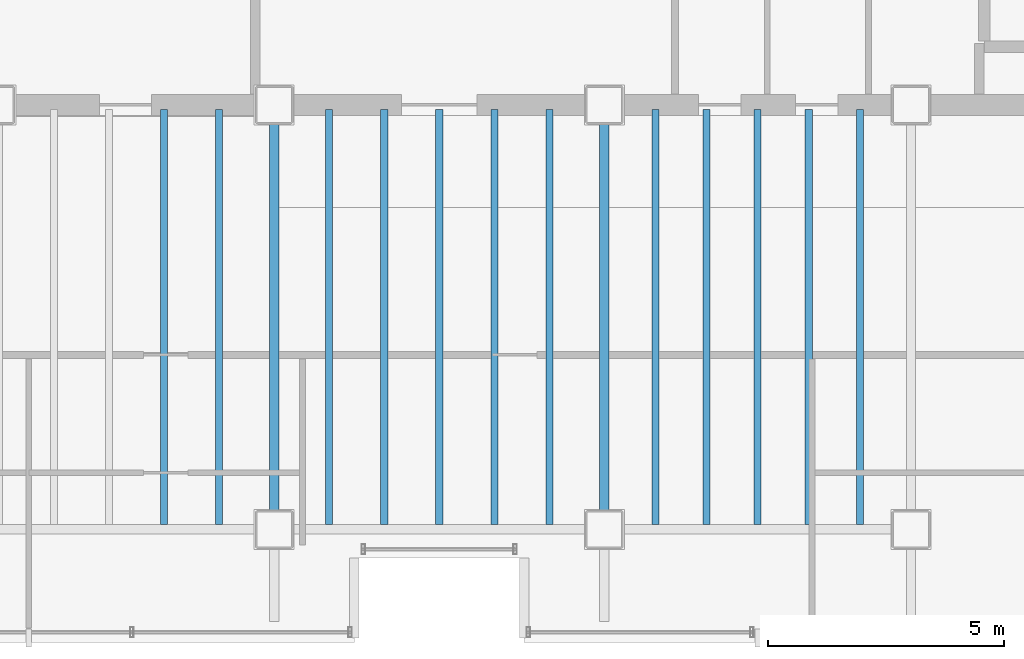
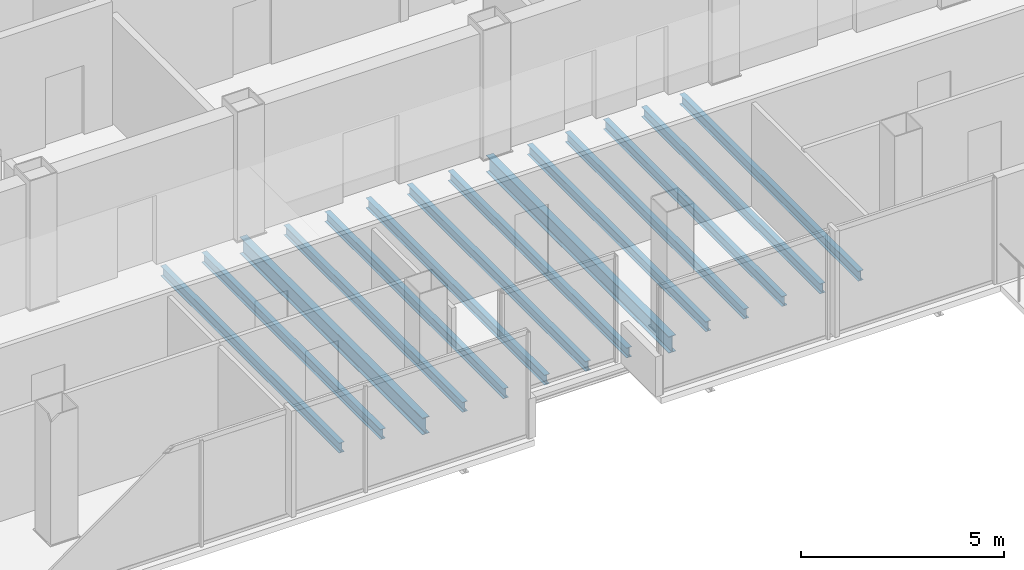
# One storey, part 7 of 17: 14 beams.
"""IFC4 building model written with IfcOpenShell, lengths in metres."""

from ifc_helpers import new_model, si_unit, direction, frame, origin, origin_2d, place, context, subcontext, project, spatial, i_section, extrude, material, material_profile, profile_set, type_object, element, save


model = new_model("IFC4")

# Units and contexts
model_context = context("Model", 3, precision=1e-05, world=origin(), true_north=direction((0.0, 1.0)))
body_context = subcontext(model_context, "Body", "Model", "MODEL_VIEW")
ifc_project = project(units=[si_unit("LENGTHUNIT", "METRE"), si_unit("AREAUNIT", "SQUARE_METRE"), si_unit("VOLUMEUNIT", "CUBIC_METRE"), si_unit("PLANEANGLEUNIT", "RADIAN"), si_unit("MASSUNIT", "GRAM", prefix="KILO")], contexts=[model_context])

# Site, building, storey
site_placement = place(None, origin())
site = spatial("IfcSite", under=ifc_project, at=site_placement, CompositionType="ELEMENT")
building_placement = place(site_placement, origin())
building = spatial("IfcBuilding", under=site, at=building_placement, Name="Noeulbin Bourse Tower", CompositionType="ELEMENT")
storey_placement = place(building_placement, frame((0.0, 0.0, 261.800048828125)))
storey = spatial("IfcBuildingStorey", under=building, at=storey_placement, Name="L65", CompositionType="ELEMENT", Elevation=261.800048828125)

# Beams
ifc_material = material(Name="Steel S355", Category="steel")
ifc_material_profile_1 = material_profile(ifc_material, i_section(OverallWidth=0.199951171875, OverallDepth=0.5, WebThickness=0.010009765625, FlangeThickness=0.01611328125, FilletRadius=0.02001953125, at=origin_2d()), Name="H-500x200x10x16", Category="LoadBearing")
ifc_profile_set_1 = profile_set([ifc_material_profile_1], Name="Steel S355")
beam_type_1 = type_object("IfcBeamType", Name="BM-GRD-500", PredefinedType="USERDEFINED", material=ifc_profile_set_1)
for number, where, z_axis, x_axis, name in (
    (1, (24.0, 20.0, -0.429931640625), (0.0, 1.0, 0.0), (-1.0, 0.0, 0.0), "Tower Primary Girder NS L65-2.2"),
    (2, (31.0, 20.0, -0.429931640625), (0.0, 1.0, 0.0), (-1.0, 0.0, 0.0), "Tower Primary Girder NS L65-3.2"),
):
    element("IfcBeam", number, at=place(storey_placement, frame(where, z_axis=z_axis, x_axis=x_axis)), inside=storey, type_object=beam_type_1, Name=name, ObjectType="GIRDER", PredefinedType="USERDEFINED", context=body_context, shape_type="SweptSolid", body=[
        extrude(i_section(OverallWidth=0.199951171875, OverallDepth=0.5, WebThickness=0.010009765625, FlangeThickness=0.01611328125, FilletRadius=0.02001953125, at=origin_2d()), origin(), (0.0, 0.0, 1.0), 9.0),
    ])
ifc_material_profile_2 = material_profile(ifc_material, i_section(OverallWidth=0.14990234375, OverallDepth=0.300048828125, WebThickness=0.006591796875, FlangeThickness=0.009033203125, FilletRadius=0.012939453125, at=origin_2d()), Name="H-300x150x6.5x9", Category="LoadBearing")
ifc_profile_set_2 = profile_set([ifc_material_profile_2], Name="Steel S355")
beam_type_2 = type_object("IfcBeamType", Name="BM-JST-300", PredefinedType="JOIST", material=ifc_profile_set_2)
for number, where, z_axis, x_axis, name in (
    (3, (21.666748046875, 20.10009765625, -0.330078125), (0.0, 1.0, 0.0), (-1.0, 0.0, 0.0), "Tower Composite Joist L65-13"),
    (4, (22.833251953125, 20.10009765625, -0.330078125), (0.0, 1.0, 0.0), (-1.0, 0.0, 0.0), "Tower Composite Joist L65-15"),
    (5, (25.166748046875, 20.10009765625, -0.330078125), (0.0, 1.0, 0.0), (-1.0, 0.0, 0.0), "Tower Composite Joist L65-17"),
    (6, (26.333251953125, 20.10009765625, -0.330078125), (0.0, 1.0, 0.0), (-1.0, 0.0, 0.0), "Tower Composite Joist L65-19"),
    (7, (27.5, 20.10009765625, -0.330078125), (0.0, 1.0, 0.0), (-1.0, 0.0, 0.0), "Tower Composite Joist L65-21"),
    (8, (28.666748046875, 20.10009765625, -0.330078125), (0.0, 1.0, 0.0), (-1.0, 0.0, 0.0), "Tower Composite Joist L65-23"),
    (9, (29.833251953125, 20.10009765625, -0.330078125), (0.0, 1.0, 0.0), (-1.0, 0.0, 0.0), "Tower Composite Joist L65-25"),
    (10, (32.083251953125, 20.10009765625, -0.330078125), (0.0, 1.0, 0.0), (-1.0, 0.0, 0.0), "Tower Composite Joist L65-27"),
    (11, (33.166748046875, 20.10009765625, -0.330078125), (0.0, 1.0, 0.0), (-1.0, 0.0, 0.0), "Tower Composite Joist L65-29"),
    (12, (34.25, 20.10009765625, -0.330078125), (0.0, 1.0, 0.0), (-1.0, 0.0, 0.0), "Tower Composite Joist L65-31"),
    (13, (35.333251953125, 20.10009765625, -0.330078125), (0.0, 1.0, 0.0), (-1.0, 0.0, 0.0), "Tower Composite Joist L65-33"),
    (14, (36.416748046875, 20.10009765625, -0.330078125), (0.0, 1.0, 0.0), (-1.0, 0.0, 0.0), "Tower Composite Joist L65-35"),
):
    element("IfcBeam", number, at=place(storey_placement, frame(where, z_axis=z_axis, x_axis=x_axis)), inside=storey, type_object=beam_type_2, Name=name, PredefinedType="JOIST", context=body_context, shape_type="SweptSolid", body=[
        extrude(i_section(OverallWidth=0.14990234375, OverallDepth=0.300048828125, WebThickness=0.006591796875, FlangeThickness=0.009033203125, FilletRadius=0.012939453125, at=origin_2d()), origin(), (0.0, 0.0, 1.0), 8.7998046875),
    ])

save(model, "model.ifc")
